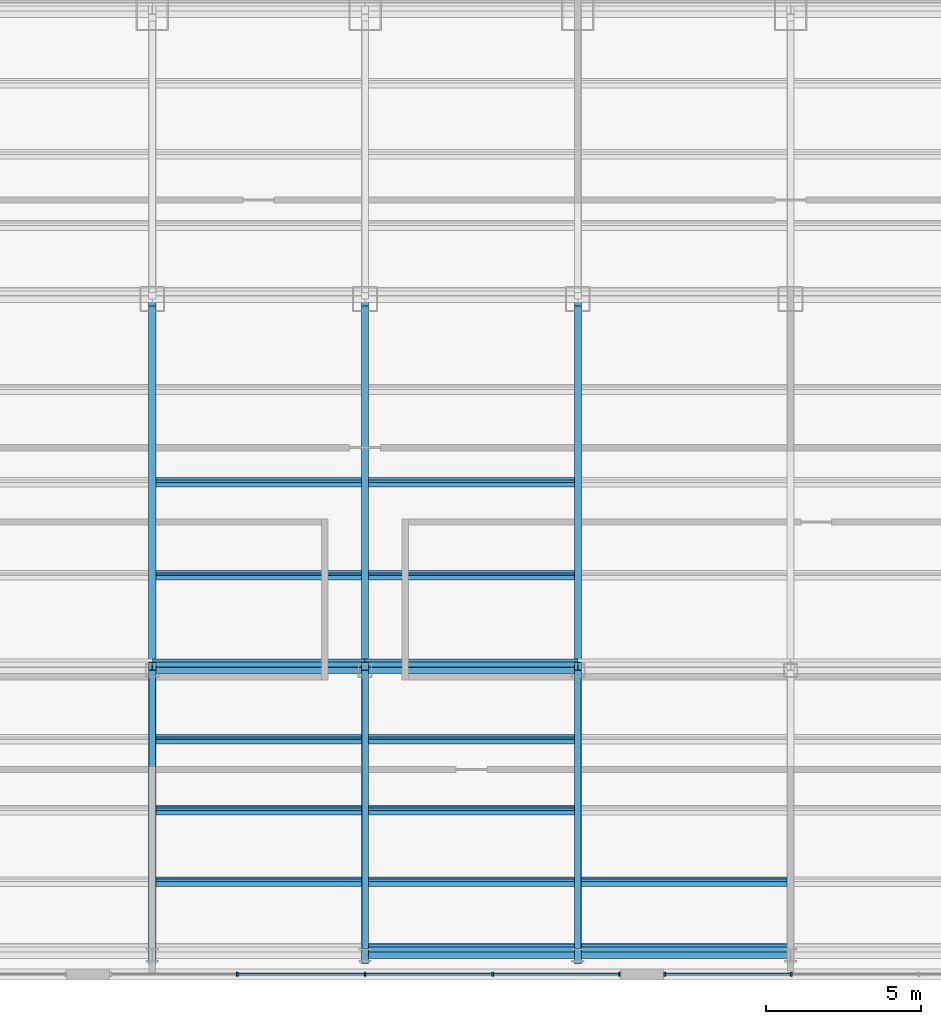
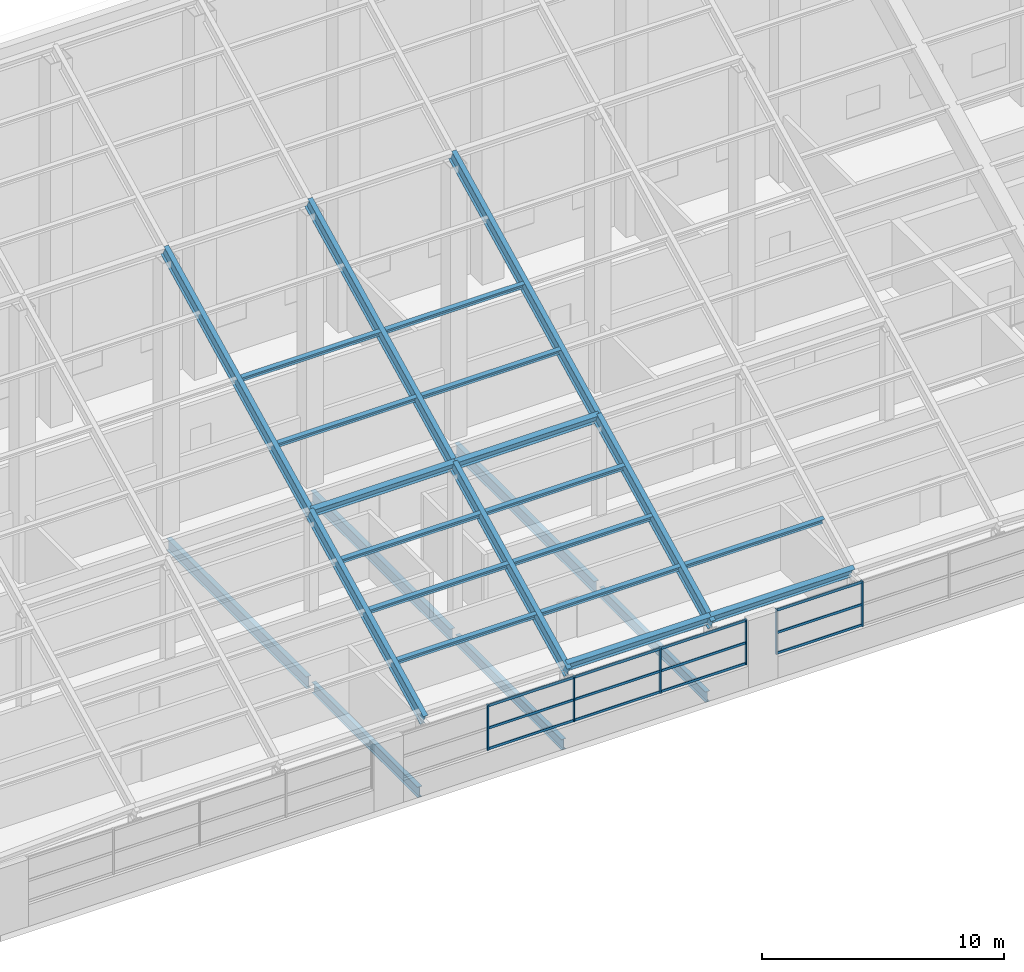
# One storey, part 10 of 28: 39 members, 6 beams, 2 elements without a shape of their own.
"""IFC4 building model written with IfcOpenShell, lengths in metres."""

from ifc_helpers import new_model, si_unit, direction, frame, origin, origin_2d, place, context, subcontext, project, spatial, rectangle, i_section, extrude, material, material_profile, profile_set, type_object, element, aggregate, save


model = new_model("IFC4")

# Units and contexts
model_context = context("Model", 3, precision=1e-05, world=origin(), true_north=direction((0.0, 1.0)))
body_context = subcontext(model_context, "Body", "Model", "MODEL_VIEW")
ifc_project = project(units=[si_unit("LENGTHUNIT", "METRE"), si_unit("AREAUNIT", "SQUARE_METRE"), si_unit("VOLUMEUNIT", "CUBIC_METRE"), si_unit("PLANEANGLEUNIT", "RADIAN"), si_unit("MASSUNIT", "GRAM", prefix="KILO")], contexts=[model_context])

# Site, building, storey
site_placement = place(None, origin())
site = spatial("IfcSite", under=ifc_project, at=site_placement, CompositionType="ELEMENT")
building_placement = place(site_placement, origin())
building = spatial("IfcBuilding", under=site, at=building_placement, Name="Tuart Gate Housing", CompositionType="ELEMENT")
storey_placement = place(building_placement, frame((0.0, 0.0, 243.89990234375)))
storey = spatial("IfcBuildingStorey", under=building, at=storey_placement, Name="L68", CompositionType="ELEMENT", Elevation=243.89990234375)

# Members
ifc_material_1 = material(Name="Steel Grade 350", Category="steel")
ifc_material_profile_1 = material_profile(ifc_material_1, i_section(OverallWidth=0.22900390625, OverallDepth=0.612060546875, WebThickness=0.011962890625, FlangeThickness=0.01953125, at=origin_2d()), Name="610UB125")
ifc_profile_set_1 = profile_set([ifc_material_profile_1], Name="Steel Grade 350")
member_type_1 = type_object("IfcMemberType", Name="Crown purlin 610 UB125", PredefinedType="PURLIN", material=ifc_profile_set_1)
for number, where, z_axis, x_axis, name in (
    (1, (103.5, 54.936767578125, 3.426513671875), (1.0, 0.0, 0.0), (0.0, 0.89442680992, 0.44721435766), "Crown purlin 10"),
    (2, (110.375, 54.936767578125, 3.426513671875), (1.0, 0.0, 0.0), (0.0, 0.89442680992, 0.44721435766), "Crown purlin 11"),
    (3, (96.625, 64.13671875, 8.0263671875), (1.0, 0.0, 0.0), (0.0, 0.89442680992, 0.44721435766), "Crown purlin 21"),
    (4, (103.5, 64.13671875, 8.0263671875), (1.0, 0.0, 0.0), (0.0, 0.89442680992, 0.44721435766), "Crown purlin 22"),
):
    element("IfcMember", number, at=place(storey_placement, frame(where, z_axis=z_axis, x_axis=x_axis)), inside=storey, type_object=member_type_1, Name=name, PredefinedType="PURLIN", context=body_context, shape_type="SweptSolid", body=[
        extrude(i_section(OverallWidth=0.22900390625, OverallDepth=0.612060546875, WebThickness=0.011962890625, FlangeThickness=0.01953125, at=origin_2d()), origin(), (0.0, 0.0, 1.0), 6.875),
    ])
ifc_material_2 = material(Name="Steel Grade 350", Category="steel")
ifc_material_profile_2 = material_profile(ifc_material_2, i_section(OverallWidth=0.22900390625, OverallDepth=0.612060546875, WebThickness=0.011962890625, FlangeThickness=0.01953125, at=origin_2d()), Name="610UB125")
ifc_profile_set_2 = profile_set([ifc_material_profile_2], Name="Steel Grade 350")
member_type_2 = type_object("IfcMemberType", Name="Crown rafter 610 UB125 (10.3-10.6 m)", PredefinedType="RAFTER", material=ifc_profile_set_2)
for number, where, z_axis, x_axis, name in (
    (5, (96.625, 54.6630859375, 3.28955078125), (0.0, 0.894427191, 0.4472135955), (-1.0, 0.0, 0.0), "Crown rafter 18"),
    (6, (103.5, 54.6630859375, 3.28955078125), (0.0, 0.894427191, 0.4472135955), (-1.0, 0.0, 0.0), "Crown rafter 21"),
    (7, (110.375, 54.6630859375, 3.28955078125), (0.0, 0.894427191, 0.4472135955), (-1.0, 0.0, 0.0), "Crown rafter 24"),
):
    element("IfcMember", number, at=place(storey_placement, frame(where, z_axis=z_axis, x_axis=x_axis)), inside=storey, type_object=member_type_2, Name=name, PredefinedType="RAFTER", context=body_context, shape_type="SweptSolid", body=[
        extrude(i_section(OverallWidth=0.22900390625, OverallDepth=0.612060546875, WebThickness=0.011962890625, FlangeThickness=0.01953125, at=origin_2d()), origin(), (0.0, 0.0, 1.0), 10.591796875),
    ])
ifc_material_3 = material(Name="Steel Grade 350", Category="steel")
ifc_material_profile_3 = material_profile(ifc_material_3, i_section(OverallWidth=0.22900390625, OverallDepth=0.612060546875, WebThickness=0.011962890625, FlangeThickness=0.01953125, at=origin_2d()), Name="610UB125")
ifc_profile_set_3 = profile_set([ifc_material_profile_3], Name="Steel Grade 350")
member_type_3 = type_object("IfcMemberType", Name="Crown rafter 610 UB125 (13.4-13.4 m)", PredefinedType="RAFTER", material=ifc_profile_set_3)
for number, where, z_axis, x_axis, name in (
    (8, (96.625, 64.13671875, 8.0263671875), (0.0, 0.894427191, 0.4472135955), (-1.0, 0.0, 0.0), "Crown rafter 19"),
    (9, (103.5, 64.13671875, 8.0263671875), (0.0, 0.894427191, 0.4472135955), (-1.0, 0.0, 0.0), "Crown rafter 22"),
    (10, (110.375, 64.13671875, 8.0263671875), (0.0, 0.894427191, 0.4472135955), (-1.0, 0.0, 0.0), "Crown rafter 25"),
):
    element("IfcMember", number, at=place(storey_placement, frame(where, z_axis=z_axis, x_axis=x_axis)), inside=storey, type_object=member_type_3, Name=name, PredefinedType="RAFTER", context=body_context, shape_type="SweptSolid", body=[
        extrude(i_section(OverallWidth=0.22900390625, OverallDepth=0.612060546875, WebThickness=0.011962890625, FlangeThickness=0.01953125, at=origin_2d()), origin(), (0.0, 0.0, 1.0), 13.41650390625),
    ])
ifc_material_4 = material(Name="Steel Grade 350", Category="steel")
ifc_material_profile_4 = material_profile(ifc_material_4, i_section(OverallWidth=0.1708984375, OverallDepth=0.35205078125, WebThickness=0.0068359375, FlangeThickness=0.009765625, at=origin_2d()), Name="360UB44.7")
ifc_profile_set_4 = profile_set([ifc_material_profile_4], Name="Steel Grade 350")
member_type_4 = type_object("IfcMemberType", Name="Crown secondary purlin 360 UB44.7", PredefinedType="PURLIN", material=ifc_profile_set_4)
for number, where, z_axis, x_axis, name in (
    (11, (96.739501953125, 57.1787109375, 4.692626953125), (1.0, 0.0, 0.0), (0.0, 0.89442680992, 0.44721435766), "Crown secondary purlin 3"),
    (12, (103.614501953125, 57.1787109375, 4.692626953125), (1.0, 0.0, 0.0), (0.0, 0.89442680992, 0.44721435766), "Crown secondary purlin 4"),
    (13, (110.489501953125, 57.1787109375, 4.692626953125), (1.0, 0.0, 0.0), (0.0, 0.89442680992, 0.44721435766), "Crown secondary purlin 5"),
    (14, (96.739501953125, 59.478759765625, 5.8427734375), (1.0, 0.0, 0.0), (0.0, 0.89442680992, 0.44721435766), "Crown secondary purlin 18"),
    (15, (103.614501953125, 59.478759765625, 5.8427734375), (1.0, 0.0, 0.0), (0.0, 0.89442680992, 0.44721435766), "Crown secondary purlin 19"),
    (16, (96.739501953125, 61.77880859375, 6.99267578125), (1.0, 0.0, 0.0), (0.0, 0.89442680992, 0.44721435766), "Crown secondary purlin 30"),
    (17, (103.614501953125, 61.77880859375, 6.99267578125), (1.0, 0.0, 0.0), (0.0, 0.89442680992, 0.44721435766), "Crown secondary purlin 31"),
    (18, (96.739501953125, 67.07861328125, 9.642578125), (1.0, 0.0, 0.0), (0.0, 0.89442680992, 0.44721435766), "Crown secondary purlin 54"),
    (19, (103.614501953125, 67.07861328125, 9.642578125), (1.0, 0.0, 0.0), (0.0, 0.89442680992, 0.44721435766), "Crown secondary purlin 55"),
    (20, (96.739501953125, 70.07861328125, 11.142578125), (1.0, 0.0, 0.0), (0.0, 0.89442680992, 0.44721435766), "Crown secondary purlin 69"),
    (21, (103.614501953125, 70.07861328125, 11.142578125), (1.0, 0.0, 0.0), (0.0, 0.89442680992, 0.44721435766), "Crown secondary purlin 70"),
):
    element("IfcMember", number, at=place(storey_placement, frame(where, z_axis=z_axis, x_axis=x_axis)), inside=storey, type_object=member_type_4, Name=name, PredefinedType="PURLIN", context=body_context, shape_type="SweptSolid", body=[
        extrude(i_section(OverallWidth=0.1708984375, OverallDepth=0.35205078125, WebThickness=0.0068359375, FlangeThickness=0.009765625, at=origin_2d()), origin(), (0.0, 0.0, 1.0), 6.64599609375),
    ])

# Beams
ifc_material_5 = material(Name="Steel Grade 350", Category="steel")
ifc_material_profile_5 = material_profile(ifc_material_5, i_section(OverallWidth=0.208984375, OverallDepth=0.532958984375, WebThickness=0.01025390625, FlangeThickness=0.015625, at=origin_2d()), Name="530UB92.4")
ifc_profile_set_5 = profile_set([ifc_material_profile_5], Name="Steel Grade 350")
beam_type_1 = type_object("IfcBeamType", Name="Floor beam 530 UB92.4", PredefinedType="BEAM", material=ifc_profile_set_5)
for number, where, z_axis, x_axis, name in (
    (22, (96.625, 55.014892578125, -0.56689453125), (0.0, 1.0, 0.0), (-1.0, 0.0, 0.0), "Block floor beam L68 bay 3 position 1"),
    (23, (103.5, 55.014892578125, -0.56689453125), (0.0, 1.0, 0.0), (-1.0, 0.0, 0.0), "Block floor beam L68 bay 4 position 1"),
    (24, (110.375, 55.014892578125, -0.56689453125), (0.0, 1.0, 0.0), (-1.0, 0.0, 0.0), "Block floor beam L68 bay 5 position 1"),
):
    element("IfcBeam", number, at=place(storey_placement, frame(where, z_axis=z_axis, x_axis=x_axis)), inside=storey, type_object=beam_type_1, Name=name, PredefinedType="BEAM", context=body_context, shape_type="SweptSolid", body=[
        extrude(i_section(OverallWidth=0.208984375, OverallDepth=0.532958984375, WebThickness=0.01025390625, FlangeThickness=0.015625, at=origin_2d()), origin(), (0.0, 0.0, 1.0), 8.77001953125),
    ])
ifc_material_6 = material(Name="Steel Grade 350", Category="steel")
ifc_material_profile_6 = material_profile(ifc_material_6, i_section(OverallWidth=0.22900390625, OverallDepth=0.612060546875, WebThickness=0.011962890625, FlangeThickness=0.01953125, at=origin_2d()), Name="610UB125")
ifc_profile_set_6 = profile_set([ifc_material_profile_6], Name="Steel Grade 350")
beam_type_2 = type_object("IfcBeamType", Name="Floor beam 610 UB125", PredefinedType="BEAM", material=ifc_profile_set_6)
for number, where, z_axis, x_axis, name in (
    (25, (96.625, 64.215087890625, -0.60595703125), (0.0, 1.0, 0.0), (-1.0, 0.0, 0.0), "Block floor beam L68 bay 3 position 2"),
    (26, (103.5, 64.215087890625, -0.60595703125), (0.0, 1.0, 0.0), (-1.0, 0.0, 0.0), "Block floor beam L68 bay 4 position 2"),
    (27, (110.375, 64.215087890625, -0.60595703125), (0.0, 1.0, 0.0), (-1.0, 0.0, 0.0), "Block floor beam L68 bay 5 position 2"),
):
    element("IfcBeam", number, at=place(storey_placement, frame(where, z_axis=z_axis, x_axis=x_axis)), inside=storey, type_object=beam_type_2, Name=name, PredefinedType="BEAM", context=body_context, shape_type="SweptSolid", body=[
        extrude(i_section(OverallWidth=0.22900390625, OverallDepth=0.612060546875, WebThickness=0.011962890625, FlangeThickness=0.01953125, at=origin_2d()), origin(), (0.0, 0.0, 1.0), 11.56982421875),
    ])

# Curtain wall, members
ifc_material_7 = material(Name="Aluminium and clear glass", Category="aluminium")
curtain_wall_type = type_object("IfcCurtainWallType", Name="Crown clerestory glazing", PredefinedType="USERDEFINED", material=ifc_material_7)
curtain_wall_1_placement = place(storey_placement, origin())
curtain_wall_1 = element("IfcCurtainWall", 28, at=curtain_wall_1_placement, inside=storey, type_object=curtain_wall_type, Name="Crown clerestory glazing BLK-S L68", ObjectType="CROWN CLERESTORY GLAZING", PredefinedType="USERDEFINED")
ifc_material_8 = material(Name="Anodised aluminium", Category="aluminium")
ifc_material_profile_7 = material_profile(ifc_material_8, rectangle(XDim=0.06005859375, YDim=0.125, at=origin_2d()), Name="60x125")
ifc_profile_set_7 = profile_set([ifc_material_profile_7], Name="Anodised aluminium")
member_type_5 = type_object("IfcMemberType", Name="Mullion 60 x 125", PredefinedType="MULLION", material=ifc_profile_set_7)
member_1_placement = place(storey_placement, frame((99.375, 54.179931640625, 1.10009765625), z_axis=(0.0, 0.0, 1.0), x_axis=(1.0, 0.0, 0.0)))
member_1 = element("IfcMember", 29, at=member_1_placement, type_object=member_type_5, Name="CW6 mullion 2", PredefinedType="MULLION", context=body_context, shape_type="SweptSolid", body=[
    extrude(rectangle(XDim=0.06005859375, YDim=0.125, at=origin_2d()), origin(), (0.0, 0.0, 1.0), 2.2900390625),
])
member_2_placement = place(storey_placement, frame((103.5, 54.179931640625, 1.10009765625), z_axis=(0.0, 0.0, 1.0), x_axis=(1.0, 0.0, 0.0)))
member_2 = element("IfcMember", 30, at=member_2_placement, type_object=member_type_5, Name="CW6 mullion 3", PredefinedType="MULLION", context=body_context, shape_type="SweptSolid", body=[
    extrude(rectangle(XDim=0.06005859375, YDim=0.125, at=origin_2d()), origin(), (0.0, 0.0, 1.0), 2.2900390625),
])
member_3_placement = place(storey_placement, frame((107.625, 54.179931640625, 1.10009765625), z_axis=(0.0, 0.0, 1.0), x_axis=(1.0, 0.0, 0.0)))
member_3 = element("IfcMember", 31, at=member_3_placement, type_object=member_type_5, Name="CW6 mullion 4", PredefinedType="MULLION", context=body_context, shape_type="SweptSolid", body=[
    extrude(rectangle(XDim=0.06005859375, YDim=0.125, at=origin_2d()), origin(), (0.0, 0.0, 1.0), 2.2900390625),
])
member_4_placement = place(storey_placement, frame((111.719970703125, 54.179931640625, 1.10009765625), z_axis=(0.0, 0.0, 1.0), x_axis=(1.0, 0.0, 0.0)))
member_4 = element("IfcMember", 32, at=member_4_placement, type_object=member_type_5, Name="CW6 mullion 5", PredefinedType="MULLION", context=body_context, shape_type="SweptSolid", body=[
    extrude(rectangle(XDim=0.06005859375, YDim=0.125, at=origin_2d()), origin(), (0.0, 0.0, 1.0), 2.2900390625),
])

curtain_wall_2_placement = place(storey_placement, origin())
curtain_wall_2 = element("IfcCurtainWall", 33, at=curtain_wall_2_placement, inside=storey, type_object=curtain_wall_type, Name="Crown clerestory glazing BLK-S L68", ObjectType="CROWN CLERESTORY GLAZING", PredefinedType="USERDEFINED")
member_5_placement = place(storey_placement, frame((113.179931640625, 54.179931640625, 1.10009765625), z_axis=(0.0, 0.0, 1.0), x_axis=(1.0, 0.0, 0.0)))
member_5 = element("IfcMember", 34, at=member_5_placement, type_object=member_type_5, Name="CW6 mullion 1", PredefinedType="MULLION", context=body_context, shape_type="SweptSolid", body=[
    extrude(rectangle(XDim=0.06005859375, YDim=0.125, at=origin_2d()), origin(), (0.0, 0.0, 1.0), 2.2900390625),
])
member_6_placement = place(storey_placement, frame((117.27490234375, 54.179931640625, 1.10009765625), z_axis=(0.0, 0.0, 1.0), x_axis=(1.0, 0.0, 0.0)))
member_6 = element("IfcMember", 35, at=member_6_placement, type_object=member_type_5, Name="CW6 mullion 2", PredefinedType="MULLION", context=body_context, shape_type="SweptSolid", body=[
    extrude(rectangle(XDim=0.06005859375, YDim=0.125, at=origin_2d()), origin(), (0.0, 0.0, 1.0), 2.2900390625),
])

# Member
ifc_material_9 = material(Name="Anodised aluminium", Category="aluminium")
ifc_material_profile_8 = material_profile(ifc_material_9, rectangle(XDim=0.06005859375, YDim=0.1201171875, at=origin_2d()), Name="60x120")
ifc_profile_set_8 = profile_set([ifc_material_profile_8], Name="Anodised aluminium")
member_type_6 = type_object("IfcMemberType", Name="Transom 60 x 120", PredefinedType="USERDEFINED", material=ifc_profile_set_8)
member_7_placement = place(storey_placement, frame((99.405029296875, 54.179931640625, 1.16015625), z_axis=(1.0, 0.0, 0.0), x_axis=(0.0, 1.0, 0.0)))
member_7 = element("IfcMember", 36, at=member_7_placement, type_object=member_type_6, Name="CW6 transom 2.1", ObjectType="TRANSOM", PredefinedType="USERDEFINED", context=body_context, shape_type="SweptSolid", body=[
    extrude(rectangle(XDim=0.06005859375, YDim=0.1201171875, at=origin_2d()), origin(), (0.0, 0.0, 1.0), 4.06494140625),
])

member_8_placement = place(storey_placement, frame((99.405029296875, 54.179931640625, 2.2001953125), z_axis=(1.0, 0.0, 0.0), x_axis=(0.0, 1.0, 0.0)))
member_8 = element("IfcMember", 37, at=member_8_placement, type_object=member_type_6, Name="CW6 transom 2.2", ObjectType="TRANSOM", PredefinedType="USERDEFINED", context=body_context, shape_type="SweptSolid", body=[
    extrude(rectangle(XDim=0.06005859375, YDim=0.1201171875, at=origin_2d()), origin(), (0.0, 0.0, 1.0), 4.06494140625),
])

member_9_placement = place(storey_placement, frame((99.405029296875, 54.179931640625, 3.330078125), z_axis=(1.0, 0.0, 0.0), x_axis=(0.0, 1.0, 0.0)))
member_9 = element("IfcMember", 38, at=member_9_placement, type_object=member_type_6, Name="CW6 transom 2.3", ObjectType="TRANSOM", PredefinedType="USERDEFINED", context=body_context, shape_type="SweptSolid", body=[
    extrude(rectangle(XDim=0.06005859375, YDim=0.1201171875, at=origin_2d()), origin(), (0.0, 0.0, 1.0), 4.06494140625),
])

member_10_placement = place(storey_placement, frame((103.530029296875, 54.179931640625, 1.16015625), z_axis=(1.0, 0.0, 0.0), x_axis=(0.0, 1.0, 0.0)))
member_10 = element("IfcMember", 39, at=member_10_placement, type_object=member_type_6, Name="CW6 transom 3.1", ObjectType="TRANSOM", PredefinedType="USERDEFINED", context=body_context, shape_type="SweptSolid", body=[
    extrude(rectangle(XDim=0.06005859375, YDim=0.1201171875, at=origin_2d()), origin(), (0.0, 0.0, 1.0), 4.06494140625),
])

member_11_placement = place(storey_placement, frame((103.530029296875, 54.179931640625, 2.2001953125), z_axis=(1.0, 0.0, 0.0), x_axis=(0.0, 1.0, 0.0)))
member_11 = element("IfcMember", 40, at=member_11_placement, type_object=member_type_6, Name="CW6 transom 3.2", ObjectType="TRANSOM", PredefinedType="USERDEFINED", context=body_context, shape_type="SweptSolid", body=[
    extrude(rectangle(XDim=0.06005859375, YDim=0.1201171875, at=origin_2d()), origin(), (0.0, 0.0, 1.0), 4.06494140625),
])

member_12_placement = place(storey_placement, frame((103.530029296875, 54.179931640625, 3.330078125), z_axis=(1.0, 0.0, 0.0), x_axis=(0.0, 1.0, 0.0)))
member_12 = element("IfcMember", 41, at=member_12_placement, type_object=member_type_6, Name="CW6 transom 3.3", ObjectType="TRANSOM", PredefinedType="USERDEFINED", context=body_context, shape_type="SweptSolid", body=[
    extrude(rectangle(XDim=0.06005859375, YDim=0.1201171875, at=origin_2d()), origin(), (0.0, 0.0, 1.0), 4.06494140625),
])

member_13_placement = place(storey_placement, frame((107.655029296875, 54.179931640625, 1.16015625), z_axis=(1.0, 0.0, 0.0), x_axis=(0.0, 1.0, 0.0)))
member_13 = element("IfcMember", 42, at=member_13_placement, type_object=member_type_6, Name="CW6 transom 4.1", ObjectType="TRANSOM", PredefinedType="USERDEFINED", context=body_context, shape_type="SweptSolid", body=[
    extrude(rectangle(XDim=0.06005859375, YDim=0.1201171875, at=origin_2d()), origin(), (0.0, 0.0, 1.0), 4.034912109375),
])

member_14_placement = place(storey_placement, frame((107.655029296875, 54.179931640625, 2.2001953125), z_axis=(1.0, 0.0, 0.0), x_axis=(0.0, 1.0, 0.0)))
member_14 = element("IfcMember", 43, at=member_14_placement, type_object=member_type_6, Name="CW6 transom 4.2", ObjectType="TRANSOM", PredefinedType="USERDEFINED", context=body_context, shape_type="SweptSolid", body=[
    extrude(rectangle(XDim=0.06005859375, YDim=0.1201171875, at=origin_2d()), origin(), (0.0, 0.0, 1.0), 4.034912109375),
])

member_15_placement = place(storey_placement, frame((107.655029296875, 54.179931640625, 3.330078125), z_axis=(1.0, 0.0, 0.0), x_axis=(0.0, 1.0, 0.0)))
member_15 = element("IfcMember", 44, at=member_15_placement, type_object=member_type_6, Name="CW6 transom 4.3", ObjectType="TRANSOM", PredefinedType="USERDEFINED", context=body_context, shape_type="SweptSolid", body=[
    extrude(rectangle(XDim=0.06005859375, YDim=0.1201171875, at=origin_2d()), origin(), (0.0, 0.0, 1.0), 4.034912109375),
])

aggregate(curtain_wall_1, [member_1, member_2, member_3, member_4, member_7, member_8, member_9, member_10, member_11, member_12, member_13, member_14, member_15])

member_16_placement = place(storey_placement, frame((113.2099609375, 54.179931640625, 1.16015625), z_axis=(1.0, 0.0, 0.0), x_axis=(0.0, 1.0, 0.0)))
member_16 = element("IfcMember", 45, at=member_16_placement, type_object=member_type_6, Name="CW6 transom 1.1", ObjectType="TRANSOM", PredefinedType="USERDEFINED", context=body_context, shape_type="SweptSolid", body=[
    extrude(rectangle(XDim=0.06005859375, YDim=0.1201171875, at=origin_2d()), origin(), (0.0, 0.0, 1.0), 4.03515625),
])

member_17_placement = place(storey_placement, frame((113.2099609375, 54.179931640625, 2.2001953125), z_axis=(1.0, 0.0, 0.0), x_axis=(0.0, 1.0, 0.0)))
member_17 = element("IfcMember", 46, at=member_17_placement, type_object=member_type_6, Name="CW6 transom 1.2", ObjectType="TRANSOM", PredefinedType="USERDEFINED", context=body_context, shape_type="SweptSolid", body=[
    extrude(rectangle(XDim=0.06005859375, YDim=0.1201171875, at=origin_2d()), origin(), (0.0, 0.0, 1.0), 4.03515625),
])

member_18_placement = place(storey_placement, frame((113.2099609375, 54.179931640625, 3.330078125), z_axis=(1.0, 0.0, 0.0), x_axis=(0.0, 1.0, 0.0)))
member_18 = element("IfcMember", 47, at=member_18_placement, type_object=member_type_6, Name="CW6 transom 1.3", ObjectType="TRANSOM", PredefinedType="USERDEFINED", context=body_context, shape_type="SweptSolid", body=[
    extrude(rectangle(XDim=0.06005859375, YDim=0.1201171875, at=origin_2d()), origin(), (0.0, 0.0, 1.0), 4.03515625),
])

aggregate(curtain_wall_2, [member_5, member_6, member_16, member_17, member_18])

save(model, "model.ifc")
